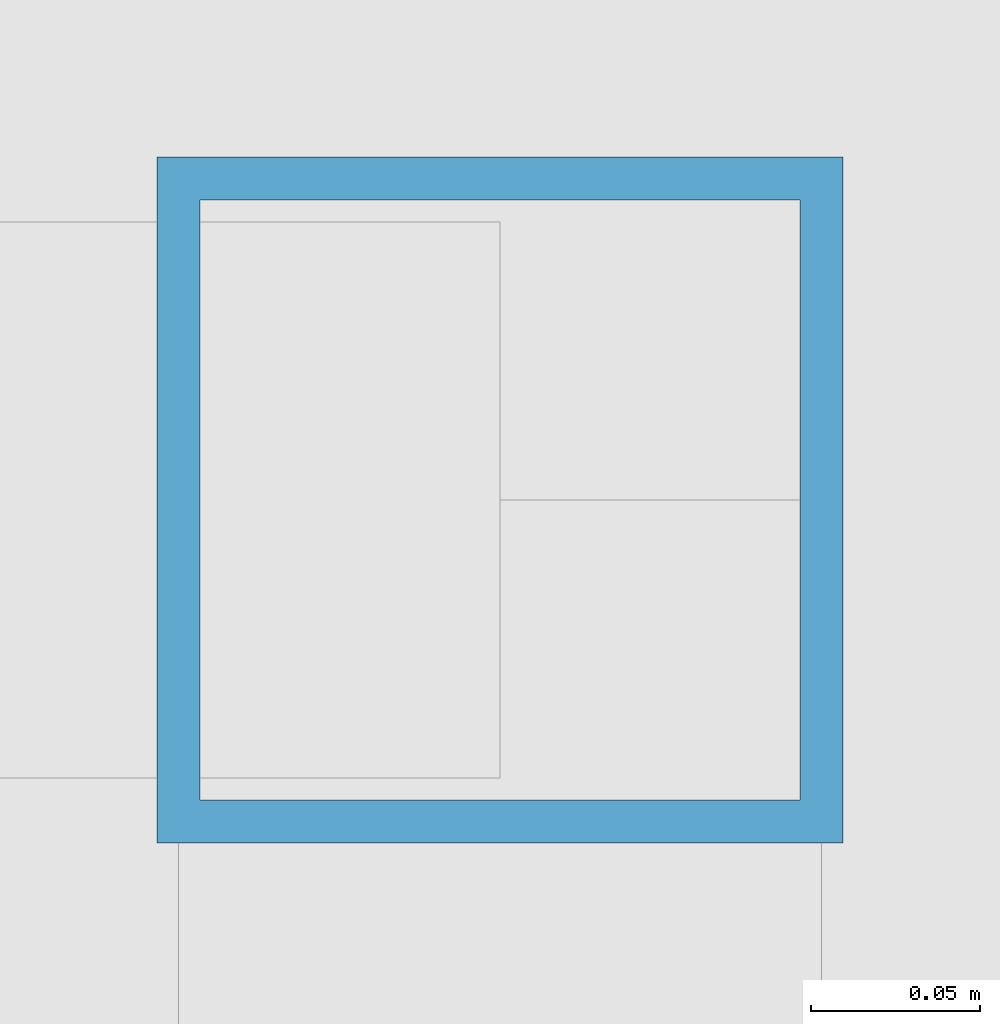
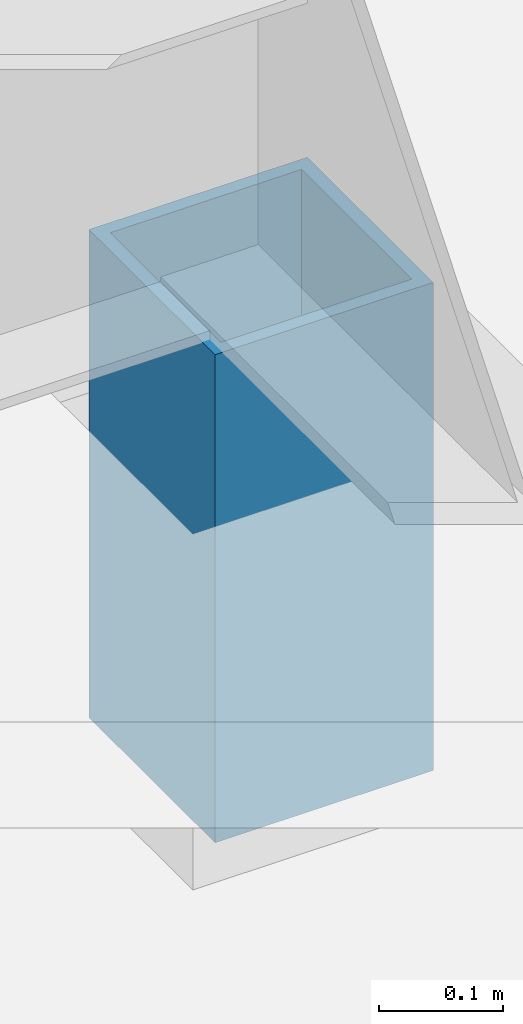
# One storey, part 9 of 17: 1 member.
"""IFC4 building model written with IfcOpenShell, lengths in metres."""

from ifc_helpers import new_model, si_unit, direction, frame, origin, origin_2d, place, context, subcontext, project, spatial, hollow_rectangle, extrude, material, material_profile, profile_set, type_object, element, save


model = new_model("IFC4")

# Units and contexts
model_context = context("Model", 3, precision=1e-05, world=origin(), true_north=direction((0.0, 1.0)))
body_context = subcontext(model_context, "Body", "Model", "MODEL_VIEW")
ifc_project = project(units=[si_unit("LENGTHUNIT", "METRE"), si_unit("AREAUNIT", "SQUARE_METRE"), si_unit("VOLUMEUNIT", "CUBIC_METRE"), si_unit("PLANEANGLEUNIT", "RADIAN"), si_unit("MASSUNIT", "GRAM", prefix="KILO")], contexts=[model_context])

# Site, building, storey
site_placement = place(None, origin())
site = spatial("IfcSite", under=ifc_project, at=site_placement, CompositionType="ELEMENT")
building_placement = place(site_placement, origin())
building = spatial("IfcBuilding", under=site, at=building_placement, Name="Jalousie Tower", CompositionType="ELEMENT")
storey_placement = place(building_placement, frame((0.0, 0.0, 16.0)))
storey = spatial("IfcBuildingStorey", under=building, at=storey_placement, Name="L03", CompositionType="ELEMENT", Elevation=16.0)

# Member
ifc_material = material(Name="Steel ASTM A500 Grade C", Category="steel")
ifc_material_profile = material_profile(ifc_material, hollow_rectangle(XDim=0.203125, YDim=0.203125, WallThickness=0.0126953125, at=origin_2d()), Name="HSS8X8X1/2")
ifc_profile_set = profile_set([ifc_material_profile], Name="Steel ASTM A500 Grade C")
member_type = type_object("IfcMemberType", Name="PLANT SUPPORT STOOL HSS8X8X1/2", PredefinedType="POST", material=ifc_profile_set)
member_placement = place(storey_placement, frame((55.85009765625, 45.199951171875, -0.280029296875), z_axis=(0.0, 0.0, 1.0), x_axis=(1.0, 0.0, 0.0)))
element("IfcMember", 1, at=member_placement, inside=storey, type_object=member_type, Name="Plant support stool Air handling plant room L03", PredefinedType="POST", context=body_context, shape_type="SweptSolid", body=[
    extrude(hollow_rectangle(XDim=0.203125, YDim=0.203125, WallThickness=0.0126953125, at=origin_2d()), origin(), (0.0, 0.0, 1.0), 0.47998046875),
])

save(model, "model.ifc")
